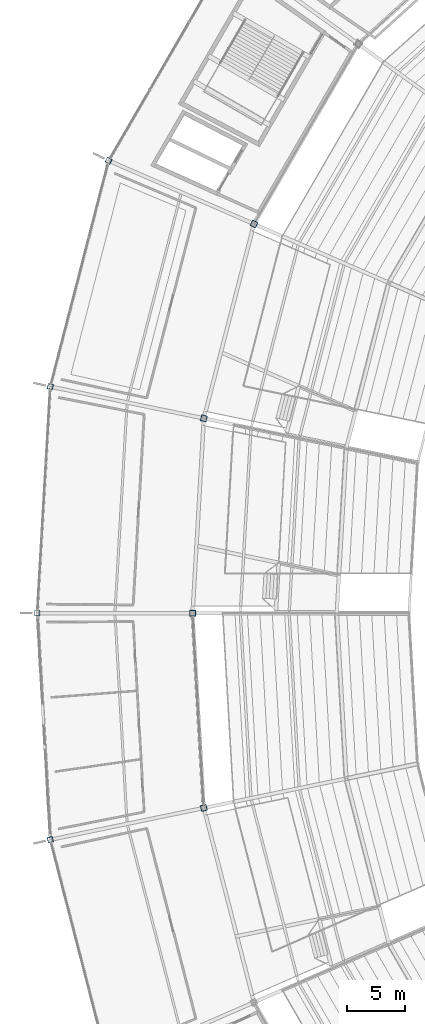
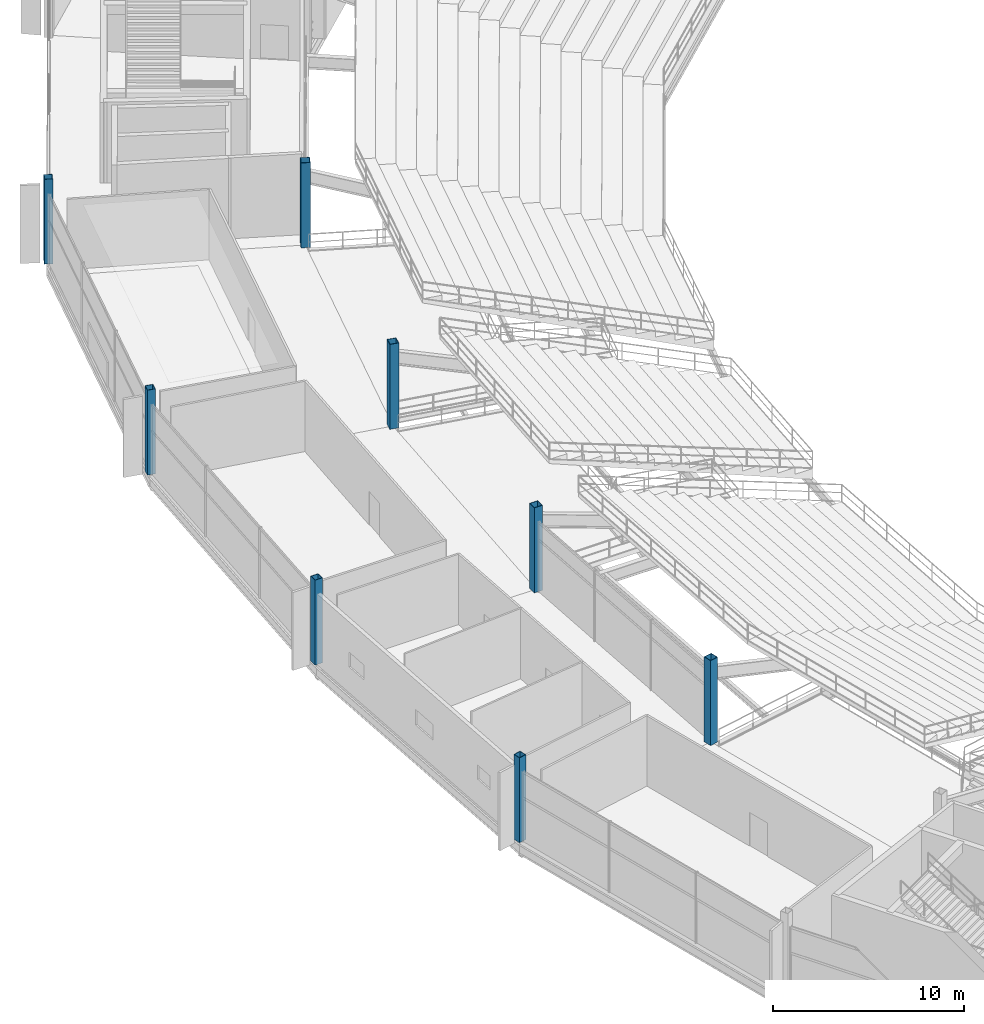
# One storey, part 4 of 186: 8 columns.
"""IFC4 building model written with IfcOpenShell, lengths in metres."""

from ifc_helpers import new_model, si_unit, direction, frame, origin, origin_2d, place, context, subcontext, project, spatial, hollow_rectangle, extrude, material, material_profile, profile_set, type_object, element, save


model = new_model("IFC4")

# Units and contexts
model_context = context("Model", 3, precision=1e-05, world=origin(), true_north=direction((0.0, 1.0)))
body_context = subcontext(model_context, "Body", "Model", "MODEL_VIEW")
ifc_project = project(units=[si_unit("LENGTHUNIT", "METRE"), si_unit("AREAUNIT", "SQUARE_METRE"), si_unit("VOLUMEUNIT", "CUBIC_METRE"), si_unit("PLANEANGLEUNIT", "RADIAN"), si_unit("MASSUNIT", "GRAM", prefix="KILO")], contexts=[model_context])

# Site, building, storey
site_placement = place(None, origin())
site = spatial("IfcSite", under=ifc_project, at=site_placement, CompositionType="ELEMENT")
building_placement = place(site_placement, origin())
building = spatial("IfcBuilding", under=site, at=building_placement, Name="Kazemori Nagisa Stadium", CompositionType="ELEMENT")
storey_placement = place(building_placement, frame((0.0, 0.0, 20.39990234375)))
storey = spatial("IfcBuildingStorey", under=building, at=storey_placement, Name="L04", CompositionType="ELEMENT", Elevation=20.39990234375)

# Columns
ifc_material = material(Name="Steel STKR490", Category="steel")
ifc_material_profile_1 = material_profile(ifc_material, hollow_rectangle(XDim=0.449951171875, YDim=0.449951171875, WallThickness=0.02197265625, at=origin_2d()), Name="SHS-450x450x22")
ifc_profile_set_1 = profile_set([ifc_material_profile_1], Name="Steel STKR490")
column_type_1 = type_object("IfcColumnType", Name="Column_C-ST450", PredefinedType="COLUMN", material=ifc_profile_set_1)
for number, where, z_axis, x_axis, name in (
    (1, (34.114990234375, 140.74951171875, 0.0), (0.0, 0.0, 1.0), (-0.900968867905, 0.433883739113, 0.0), "Column C-ST450 L04 R3-13"),
    (2, (29.119140625, 121.397705078125, 0.0), (0.0, 0.0, 1.0), (-0.974927912182, 0.222520933954, 0.0), "Column C-ST450 L04 R3-14"),
    (3, (28.0, 102.0, 0.0), (0.0, 0.0, 1.0), (-1.0, 0.0, 0.0), "Column C-ST450 L04 R3-15"),
    (4, (29.119140625, 82.602294921875, 0.0), (0.0, 0.0, 1.0), (-0.974927912182, -0.222520933954, 0.0), "Column C-ST450 L04 R3-16"),
):
    element("IfcColumn", number, at=place(storey_placement, frame(where, z_axis=z_axis, x_axis=x_axis)), inside=storey, type_object=column_type_1, Name=name, PredefinedType="COLUMN", context=body_context, shape_type="SweptSolid", body=[
        extrude(hollow_rectangle(XDim=0.449951171875, YDim=0.449951171875, WallThickness=0.02197265625, at=origin_2d()), origin(), (0.0, 0.0, 1.0), 5.440185546875),
    ])
ifc_material_profile_2 = material_profile(ifc_material, hollow_rectangle(XDim=0.5, YDim=0.5, WallThickness=0.02197265625, at=origin_2d()), Name="SHS-500x500x22")
ifc_profile_set_2 = profile_set([ifc_material_profile_2], Name="Steel STKR490")
column_type_2 = type_object("IfcColumnType", Name="Column_C-ST500", PredefinedType="COLUMN", material=ifc_profile_set_2)
for number, where, z_axis, x_axis, name in (
    (5, (46.55908203125, 135.32470703125, 0.0), (0.0, 0.0, 1.0), (-0.900968867905, 0.433883739113, 0.0), "Column C-ST500 L04 R2-13"),
    (6, (42.262451171875, 118.68212890625, 0.0), (0.0, 0.0, 1.0), (-0.974927912182, 0.222520933954, 0.0), "Column C-ST500 L04 R2-14"),
    (7, (41.300048828125, 102.0, 0.0), (0.0, 0.0, 1.0), (-1.0, 0.0, 0.0), "Column C-ST500 L04 R2-15"),
    (8, (42.262451171875, 85.31787109375, 0.0), (0.0, 0.0, 1.0), (-0.974927912182, -0.222520933954, 0.0), "Column C-ST500 L04 R2-16"),
):
    element("IfcColumn", number, at=place(storey_placement, frame(where, z_axis=z_axis, x_axis=x_axis)), inside=storey, type_object=column_type_2, Name=name, PredefinedType="COLUMN", context=body_context, shape_type="SweptSolid", body=[
        extrude(hollow_rectangle(XDim=0.5, YDim=0.5, WallThickness=0.02197265625, at=origin_2d()), origin(), (0.0, 0.0, 1.0), 5.440185546875),
    ])

save(model, "model.ifc")
